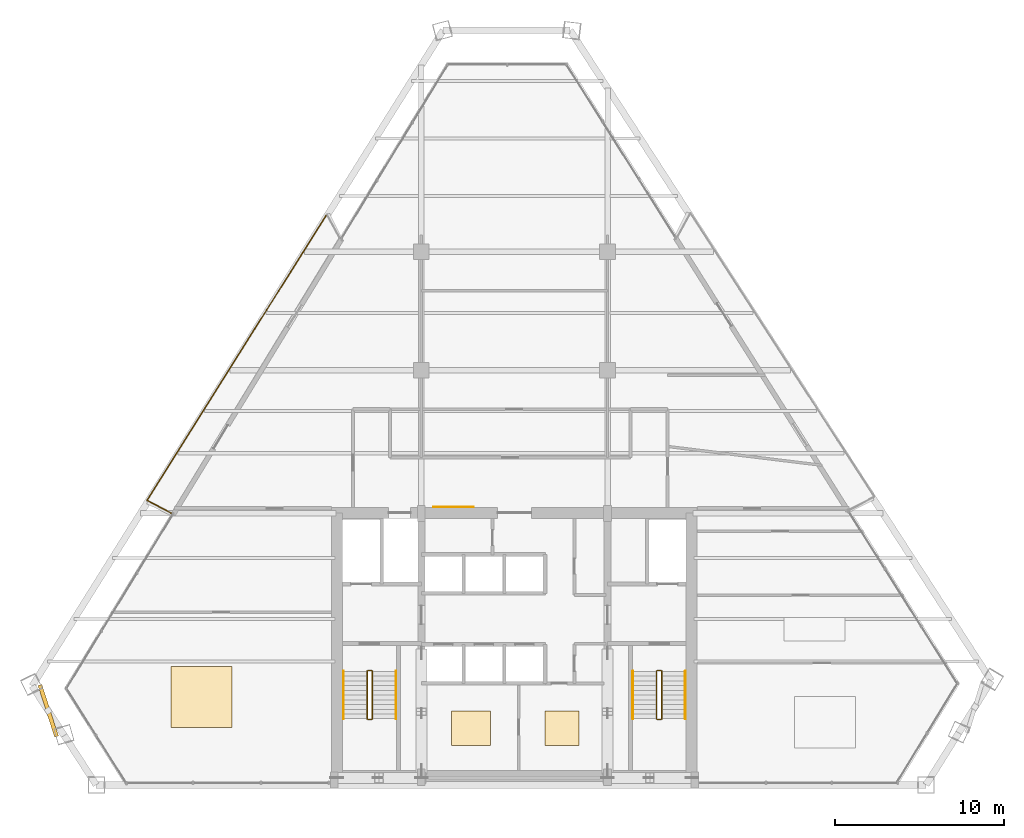
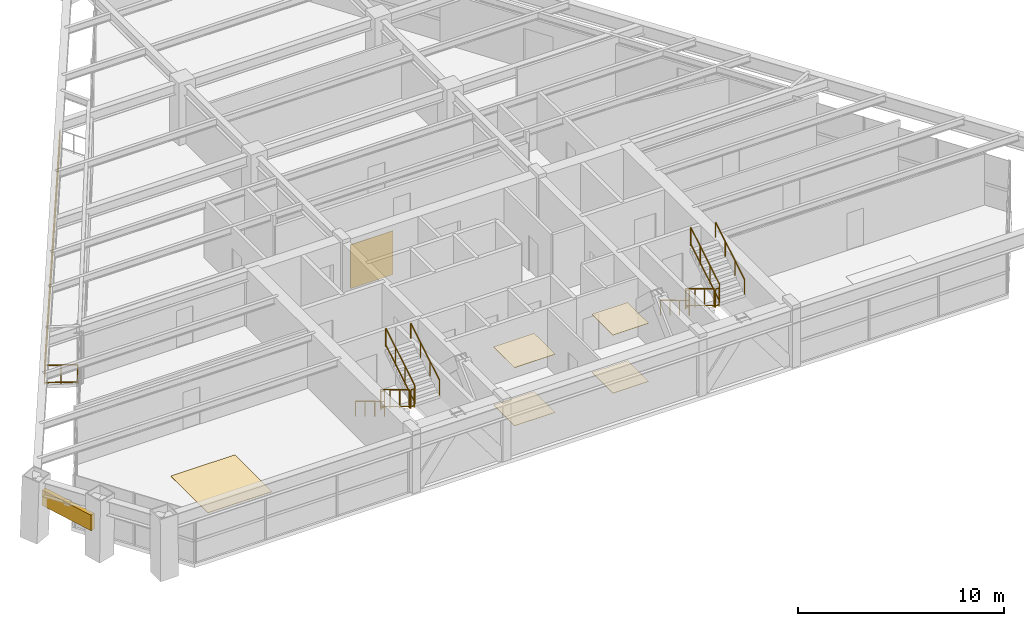
# One storey, part 12 of 13: 14 railings, 6 coverings, 1 shading device.
"""IFC4 building model written with IfcOpenShell, lengths in metres."""

import ifcopenshell
import ifcopenshell.guid

model = None  # the IFC model being written
_history = None  # IfcOwnerHistory: only IFC2X3 demands one
_inside = {}  # id of a spatial element -> (the spatial element, [elements in it])
_under = {}  # id of a project, library or spatial element -> (it, [spatial elements below it])
_declared = {}  # id of a project -> (the project, [libraries it declares])
_typed = {}  # id of a type object -> (the type object, [elements of that type])
_made_of = {}  # id of a material, layer set ... -> (it, [elements and type objects made of it])


def new_model(schema):
    """Start an empty IFC model of exactly this schema.

    Asked for "IFC4X3", IfcOpenShell would pick the latest addendum, in which some entities
    have other attributes; the version numbers below select the first issue.
    IFC2X3 requires an IfcOwnerHistory on every rooted entity: one is made here for all.
    """
    global model, _history
    if schema == "IFC4X3":
        model = ifcopenshell.file(schema_version=(4, 3, 0, 0))
    else:
        model = ifcopenshell.file(schema=schema)
    _inside.clear()
    _under.clear()
    _declared.clear()
    _typed.clear()
    _made_of.clear()
    _history = None
    if model.schema == "IFC2X3":
        org = make("IfcOrganization", Name="unknown")
        user = make(
            "IfcPersonAndOrganization",
            ThePerson=make("IfcPerson", FamilyName="unknown"),
            TheOrganization=org,
        )
        app = make(
            "IfcApplication",
            ApplicationDeveloper=org,
            Version="unknown",
            ApplicationFullName="unknown",
            ApplicationIdentifier="unknown",
        )
        _history = make(
            "IfcOwnerHistory",
            OwningUser=user,
            OwningApplication=app,
            ChangeAction="ADDED",
            CreationDate=0,
        )
    return model


def make(cls, **values):
    """One entity of the class cls with the attributes given. An attribute that is None is left unset."""
    return model.create_entity(
        cls, **{name: value for name, value in values.items() if value is not None}
    )


def rooted(cls, **values):
    """An entity with a GlobalId (a new one), such as an element, a storey or a relation."""
    return make(cls, GlobalId=ifcopenshell.guid.new(), OwnerHistory=_history, **values)


def si_unit(unit_type, name, prefix=None):
    """IfcSIUnit, for example si_unit("LENGTHUNIT", "METRE", prefix="MILLI")."""
    return make("IfcSIUnit", UnitType=unit_type, Prefix=prefix, Name=name)


def assignment(units):
    """IfcUnitAssignment: the units of a project."""
    return None if units is None else make("IfcUnitAssignment", Units=units)


def point(xyz):
    """IfcCartesianPoint."""
    return None if xyz is None else make("IfcCartesianPoint", Coordinates=xyz)


def direction(xyz):
    """IfcDirection."""
    return None if xyz is None else make("IfcDirection", DirectionRatios=xyz)


def frame(location, z_axis=None, x_axis=None):
    """IfcAxis2Placement3D, a coordinate frame: its origin and axes. An axis left out is left unset."""
    return make(
        "IfcAxis2Placement3D",
        Location=point(location),
        Axis=direction(z_axis),
        RefDirection=direction(x_axis),
    )


def frame_2d(location, x_axis=None):
    """IfcAxis2Placement2D, a coordinate frame in the plane: its origin and x axis."""
    return make(
        "IfcAxis2Placement2D", Location=point(location), RefDirection=direction(x_axis)
    )


def origin():
    """The frame at (0, 0, 0) with its axes left unset."""
    return frame((0.0, 0.0, 0.0))


def origin_2d():
    """The frame at (0, 0) in the plane with its x axis left unset."""
    return frame_2d((0.0, 0.0))


def place(relative_to, where):
    """IfcLocalPlacement: puts the frame where relative to a parent placement (None: the world)."""
    return make(
        "IfcLocalPlacement", PlacementRelTo=relative_to, RelativePlacement=where
    )


def context(
    kind, dimensions, precision=None, world=None, true_north=None, identifier=None
):
    """IfcGeometricRepresentationContext, for example the 3D "Model" context."""
    return make(
        "IfcGeometricRepresentationContext",
        ContextIdentifier=identifier,
        ContextType=kind,
        CoordinateSpaceDimension=dimensions,
        Precision=precision,
        WorldCoordinateSystem=world,
        TrueNorth=true_north,
    )


def subcontext(parent, identifier, kind, view, scale=None):
    """IfcGeometricRepresentationSubContext, for example "Body" below "Model"."""
    return make(
        "IfcGeometricRepresentationSubContext",
        ContextIdentifier=identifier,
        ContextType=kind,
        ParentContext=parent,
        TargetScale=scale,
        TargetView=view,
    )


def project(units=None, contexts=None):
    """IfcProject with its units and contexts."""
    return rooted(
        "IfcProject",
        Name="project",
        RepresentationContexts=contexts,
        UnitsInContext=assignment(units),
    )


def spatial(cls, under=None, at=None, **own):
    """A site, building, storey or space (cls), placed at a placement, below another one or the project."""
    s = rooted(cls, ObjectPlacement=at, **own)
    if under is not None:
        _under.setdefault(under.id(), (under, []))[1].append(s)
    return s


def profile(cls, at=None, kind="AREA", **sizes):
    """A parametric profile (cls). Its sizes go by their IFC names, for example OverallWidth=200.0."""
    return make(cls, ProfileType=kind, Position=at, **sizes)


def rectangle(**sizes):
    """IfcRectangleProfileDef."""
    return profile("IfcRectangleProfileDef", **sizes)


def extrude(swept, where, along, depth):
    """IfcExtrudedAreaSolid: the profile swept, set in the frame where, extruded along a direction by depth."""
    return make(
        "IfcExtrudedAreaSolid",
        SweptArea=swept,
        Position=where,
        ExtrudedDirection=direction(along),
        Depth=depth,
    )


def shape(context_of_items, identifier, shape_type, items):
    """IfcShapeRepresentation: the items that make up one representation, for example the "Body"."""
    return make(
        "IfcShapeRepresentation",
        ContextOfItems=context_of_items,
        RepresentationIdentifier=identifier,
        RepresentationType=shape_type,
        Items=items,
    )


def source(mapping_origin, context_of_items, identifier, shape_type, items):
    """IfcRepresentationMap: a shape defined once, which mapped items show again and again."""
    return make(
        "IfcRepresentationMap",
        MappingOrigin=mapping_origin,
        MappedRepresentation=shape(context_of_items, identifier, shape_type, items),
    )


def transform(
    local_origin,
    x_axis=None,
    y_axis=None,
    z_axis=None,
    scale=None,
    scale2=None,
    scale3=None,
    uniform=True,
):
    """IfcCartesianTransformationOperator3D, or its non-uniform kind. x_axis, y_axis, z_axis: its Axis1, 2, 3."""
    if uniform:
        return make(
            "IfcCartesianTransformationOperator3D",
            Axis1=direction(x_axis),
            Axis2=direction(y_axis),
            LocalOrigin=point(local_origin),
            Scale=scale,
            Axis3=direction(z_axis),
        )
    return make(
        "IfcCartesianTransformationOperator3DnonUniform",
        Axis1=direction(x_axis),
        Axis2=direction(y_axis),
        LocalOrigin=point(local_origin),
        Scale=scale,
        Axis3=direction(z_axis),
        Scale2=scale2,
        Scale3=scale3,
    )


def mapped(mapping_source, mapping_target):
    """IfcMappedItem: shows the shape of a source again, moved by a transform."""
    return make(
        "IfcMappedItem", MappingSource=mapping_source, MappingTarget=mapping_target
    )


def material(Name=None, Category=None):
    """IfcMaterial."""
    return make("IfcMaterial", Name=Name, Category=Category)


def layer(
    of_material, thickness, ventilated=None, Name=None, Category=None, Priority=None
):
    """IfcMaterialLayer: one layer of a wall or slab, of a material (None: an air gap)."""
    return make(
        "IfcMaterialLayer",
        Material=of_material,
        LayerThickness=thickness,
        IsVentilated=ventilated,
        Name=Name,
        Category=Category,
        Priority=Priority,
    )


def layer_set(layers, Name=None):
    """IfcMaterialLayerSet."""
    return make("IfcMaterialLayerSet", MaterialLayers=layers, LayerSetName=Name)


def made_of(thing, what):
    """Note that an element or type object is made of a material, layer set ...; save() writes the relation."""
    if what is not None:
        _made_of.setdefault(what.id(), (what, []))[1].append(thing)
    return thing


def type_object(cls, material=None, **own):
    """A type object (cls), such as IfcWallType, which elements share."""
    return made_of(rooted(cls, **own), material)


def type_shapes(of_type, sources):
    """Give a type object the sources (RepresentationMaps) that its elements show as mapped items."""
    of_type.RepresentationMaps = sources


def element(
    cls,
    number,
    at=None,
    inside=None,
    cuts=None,
    type_object=None,
    material=None,
    context=None,
    identifier="Body",
    shape_type=None,
    held_by="IfcProductDefinitionShape",
    body=None,
    shapes=None,
    **own,
):
    """One element of the class cls, such as IfcWall. Its Tag is "e" and its number.

    at: its placement. inside: the storey or other place that contains it. cuts: it is an
    opening in that element (IfcRelVoidsElement). A single representation is given by context,
    identifier, shape_type and body (its items); several are given by shapes. held_by: the class
    of the entity that holds the representations. save() writes the other relations.
    """
    e = rooted(cls, Tag="e%d" % number, ObjectPlacement=at, **own)
    if body is not None:
        shapes = [shape(context, identifier, shape_type, body)]
    if shapes is not None:
        e.Representation = make(held_by, Representations=shapes)
    if inside is not None:
        _inside.setdefault(inside.id(), (inside, []))[1].append(e)
    if cuts is not None:
        rooted(
            "IfcRelVoidsElement", RelatingBuildingElement=cuts, RelatedOpeningElement=e
        )
    if type_object is not None:
        _typed.setdefault(type_object.id(), (type_object, []))[1].append(e)
    return made_of(e, material)


def aggregate(whole, parts):
    """IfcRelAggregates: a whole, such as a stair, and the parts it consists of."""
    return rooted("IfcRelAggregates", RelatingObject=whole, RelatedObjects=parts)


def save(model, path):
    """Write the relations noted so far, then the file.

    IfcRelAggregates (storeys below a building ...), IfcRelContainedInSpatialStructure (elements
    in a storey), IfcRelDefinesByType, IfcRelAssociatesMaterial and IfcRelDeclares: one each for
    every whole, place, type object, material and project.
    """
    for whole, parts in _under.values():
        aggregate(whole, parts)
    for where, things in _inside.values():
        rooted(
            "IfcRelContainedInSpatialStructure",
            RelatedElements=things,
            RelatingStructure=where,
        )
    for kind, things in _typed.values():
        rooted("IfcRelDefinesByType", RelatedObjects=things, RelatingType=kind)
    for what, things in _made_of.values():
        rooted("IfcRelAssociatesMaterial", RelatedObjects=things, RelatingMaterial=what)
    for by, libraries in _declared.values():
        rooted("IfcRelDeclares", RelatingContext=by, RelatedDefinitions=libraries)
    model.write(path)


model = new_model("IFC4")

# Units and contexts
model_context = context("Model", 3, precision=1e-05, world=origin(), true_north=direction((0.0, 1.0)))
body_context = subcontext(model_context, "Body", "Model", "MODEL_VIEW")
ifc_project = project(units=[si_unit("LENGTHUNIT", "METRE"), si_unit("AREAUNIT", "SQUARE_METRE"), si_unit("VOLUMEUNIT", "CUBIC_METRE"), si_unit("PLANEANGLEUNIT", "RADIAN"), si_unit("MASSUNIT", "GRAM", prefix="KILO")], contexts=[model_context])

# Site, building, storey
site_placement = place(None, origin())
site = spatial("IfcSite", under=ifc_project, at=site_placement, CompositionType="ELEMENT")
building_placement = place(site_placement, origin())
building = spatial("IfcBuilding", under=site, at=building_placement, Name="Varnakhor Terracotta Tower", CompositionType="ELEMENT")
storey_placement = place(building_placement, frame((0.0, 0.0, 200.60009765625)))
storey = spatial("IfcBuildingStorey", under=building, at=storey_placement, Name="L51", CompositionType="ELEMENT", Elevation=200.60009765625)

# Railings
ifc_material_1 = material(Name="Stainless Steel & Laminated Glass Guardrail", Category="steel")
railing_type_1 = type_object("IfcRailingType", Name="RLG-LOGGIA-GUARD-1150", PredefinedType="GUARDRAIL", material=ifc_material_1)
railing_1_placement = place(storey_placement, frame((-20.281982421875, 16.05712890625, 0.0)))
element("IfcRailing", 1, at=railing_1_placement, inside=storey, type_object=railing_type_1, Name="L51 W Loggia Glass Guard 1", PredefinedType="GUARDRAIL", context=body_context, shape_type="SweptSolid", body=[
    extrude(rectangle(XDim=0.048095703125, YDim=0.048095703125, at=origin_2d()), frame((0.0, 0.0, 1.1259765625), z_axis=(-0.883469642591, 0.468488410336, 0.0), x_axis=(-0.468488410336, -0.883469642591, 0.0)), (0.0, 0.0, 1.0), 1.624267578125),
    extrude(rectangle(XDim=0.048095703125, YDim=0.048095703125, at=origin_2d()), frame((0.0, 0.0, 0.10009765625), z_axis=(-0.883469642591, 0.468488410336, 0.0), x_axis=(-0.468488410336, -0.883469642591, 0.0)), (0.0, 0.0, 1.0), 1.624267578125),
    extrude(rectangle(XDim=0.0419921875, YDim=0.0419921875, at=origin_2d()), origin(), (0.0, 0.0, 1.0), 1.101806640625),
    extrude(rectangle(XDim=0.0419921875, YDim=0.0419921875, at=origin_2d()), frame((-0.717529296875, 0.38037109375, 0.0)), (0.0, 0.0, 1.0), 1.101806640625),
    extrude(rectangle(XDim=0.0419921875, YDim=0.0419921875, at=origin_2d()), frame((-1.43505859375, 0.760986328125, 0.0)), (0.0, 0.0, 1.0), 1.101806640625),
])
railing_2_placement = place(storey_placement, frame((-21.717041015625, 16.818115234375, 0.0)))
element("IfcRailing", 2, at=railing_2_placement, inside=storey, type_object=railing_type_1, Name="L51 W Loggia Glass Guard 2", PredefinedType="GUARDRAIL", context=body_context, shape_type="SweptSolid", body=[
    extrude(rectangle(XDim=0.048095703125, YDim=0.048095703125, at=origin_2d()), frame((0.0, 0.0, 1.1259765625), z_axis=(0.532353424974, 0.846522197535, 0.0), x_axis=(-0.846522197535, 0.532353424974, 0.0)), (0.0, 0.0, 1.0), 19.956787109375),
    extrude(rectangle(XDim=0.048095703125, YDim=0.048095703125, at=origin_2d()), frame((0.0, 0.0, 0.10009765625), z_axis=(0.532353424974, 0.846522197535, 0.0), x_axis=(-0.846522197535, 0.532353424974, 0.0)), (0.0, 0.0, 1.0), 19.956787109375),
    extrude(rectangle(XDim=0.0419921875, YDim=0.0419921875, at=origin_2d()), origin(), (0.0, 0.0, 1.0), 1.101806640625),
    extrude(rectangle(XDim=0.0419921875, YDim=0.0419921875, at=origin_2d()), frame((0.708251953125, 1.126220703125, 0.0)), (0.0, 0.0, 1.0), 1.101806640625),
    extrude(rectangle(XDim=0.0419921875, YDim=0.0419921875, at=origin_2d()), frame((1.41650390625, 2.25244140625, 0.0)), (0.0, 0.0, 1.0), 1.101806640625),
    extrude(rectangle(XDim=0.0419921875, YDim=0.0419921875, at=origin_2d()), frame((2.124755859375, 3.378662109375, 0.0)), (0.0, 0.0, 1.0), 1.101806640625),
    extrude(rectangle(XDim=0.0419921875, YDim=0.0419921875, at=origin_2d()), frame((2.8330078125, 4.505126953125, 0.0)), (0.0, 0.0, 1.0), 1.101806640625),
    extrude(rectangle(XDim=0.0419921875, YDim=0.0419921875, at=origin_2d()), frame((3.541259765625, 5.63134765625, 0.0)), (0.0, 0.0, 1.0), 1.101806640625),
    extrude(rectangle(XDim=0.0419921875, YDim=0.0419921875, at=origin_2d()), frame((4.24951171875, 6.757568359375, 0.0)), (0.0, 0.0, 1.0), 1.101806640625),
    extrude(rectangle(XDim=0.0419921875, YDim=0.0419921875, at=origin_2d()), frame((4.957763671875, 7.8837890625, 0.0)), (0.0, 0.0, 1.0), 1.101806640625),
    extrude(rectangle(XDim=0.0419921875, YDim=0.0419921875, at=origin_2d()), frame((5.666259765625, 9.010009765625, 0.0)), (0.0, 0.0, 1.0), 1.101806640625),
    extrude(rectangle(XDim=0.0419921875, YDim=0.0419921875, at=origin_2d()), frame((6.37451171875, 10.13623046875, 0.0)), (0.0, 0.0, 1.0), 1.101806640625),
    extrude(rectangle(XDim=0.0419921875, YDim=0.0419921875, at=origin_2d()), frame((7.082763671875, 11.262451171875, 0.0)), (0.0, 0.0, 1.0), 1.101806640625),
    extrude(rectangle(XDim=0.0419921875, YDim=0.0419921875, at=origin_2d()), frame((7.791015625, 12.388671875, 0.0)), (0.0, 0.0, 1.0), 1.101806640625),
    extrude(rectangle(XDim=0.0419921875, YDim=0.0419921875, at=origin_2d()), frame((8.499267578125, 13.51513671875, 0.0)), (0.0, 0.0, 1.0), 1.101806640625),
    extrude(rectangle(XDim=0.0419921875, YDim=0.0419921875, at=origin_2d()), frame((9.20751953125, 14.641357421875, 0.0)), (0.0, 0.0, 1.0), 1.101806640625),
    extrude(rectangle(XDim=0.0419921875, YDim=0.0419921875, at=origin_2d()), frame((9.915771484375, 15.767578125, 0.0)), (0.0, 0.0, 1.0), 1.101806640625),
    extrude(rectangle(XDim=0.0419921875, YDim=0.0419921875, at=origin_2d()), frame((10.6240234375, 16.893798828125, 0.0)), (0.0, 0.0, 1.0), 1.101806640625),
])
ifc_material_2 = material(Name="Painted Steel Stairwell Guardrail", Category="steel")
railing_type_2 = type_object("IfcRailingType", Name="RLG-STAIR-GUARD-1120", PredefinedType="GUARDRAIL", material=ifc_material_2)
railing_3_placement = place(storey_placement, frame((-8.699951171875, 6.7099609375, 0.16796875)))
element("IfcRailing", 3, at=railing_3_placement, inside=storey, type_object=railing_type_2, Name="L51 ST-1 stair guard 1", PredefinedType="GUARDRAIL", context=body_context, shape_type="SweptSolid", body=[
    extrude(rectangle(XDim=0.048095703125, YDim=0.048095703125, at=origin_2d()), frame((0.0, 0.0, 1.09619140625), z_axis=(0.0, -0.857242210791, 0.514913383045), x_axis=(1.0, 0.0, 0.0)), (0.0, 0.0, 1.0), 3.266357421875),
    extrude(rectangle(XDim=0.048095703125, YDim=0.048095703125, at=origin_2d()), frame((0.0, 0.0, 0.10009765625), z_axis=(0.0, -0.857242210791, 0.514913383045), x_axis=(1.0, 0.0, 0.0)), (0.0, 0.0, 1.0), 3.266357421875),
    extrude(rectangle(XDim=0.0419921875, YDim=0.0419921875, at=origin_2d()), origin(), (0.0, 0.0, 1.0), 1.072021484375),
    extrude(rectangle(XDim=0.0419921875, YDim=0.0419921875, at=origin_2d()), frame((0.0, -0.933349609375, 0.560546875)), (0.0, 0.0, 1.0), 1.072021484375),
    extrude(rectangle(XDim=0.0419921875, YDim=0.0419921875, at=origin_2d()), frame((0.0, -1.86669921875, 1.121337890625)), (0.0, 0.0, 1.0), 1.072021484375),
    extrude(rectangle(XDim=0.0419921875, YDim=0.0419921875, at=origin_2d()), frame((0.0, -2.800048828125, 1.681884765625)), (0.0, 0.0, 1.0), 1.072021484375),
])
railing_4_placement = place(storey_placement, frame((-8.64990234375, 3.860107421875, 1.849853515625)))
element("IfcRailing", 4, at=railing_4_placement, inside=storey, type_object=railing_type_2, Name="L51 ST-1 stair guard 2", PredefinedType="GUARDRAIL", context=body_context, shape_type="SweptSolid", body=[
    extrude(rectangle(XDim=0.048095703125, YDim=0.048095703125, at=origin_2d()), frame((0.0, 0.0, 1.09619140625), z_axis=(1.0, 0.0, 0.0), x_axis=(0.0, 1.0, 0.0)), (0.0, 0.0, 1.0), 0.199951171875),
    extrude(rectangle(XDim=0.048095703125, YDim=0.048095703125, at=origin_2d()), frame((0.0, 0.0, 0.10009765625), z_axis=(1.0, 0.0, 0.0), x_axis=(0.0, 1.0, 0.0)), (0.0, 0.0, 1.0), 0.199951171875),
    extrude(rectangle(XDim=0.0419921875, YDim=0.0419921875, at=origin_2d()), origin(), (0.0, 0.0, 1.0), 1.072021484375),
    extrude(rectangle(XDim=0.0419921875, YDim=0.0419921875, at=origin_2d()), frame((0.199951171875, 0.0, 0.0)), (0.0, 0.0, 1.0), 1.072021484375),
])
railing_5_placement = place(storey_placement, frame((-8.39990234375, 3.909912109375, 2.01806640625)))
element("IfcRailing", 5, at=railing_5_placement, inside=storey, type_object=railing_type_2, Name="L51 ST-1 stair guard 3", PredefinedType="GUARDRAIL", context=body_context, shape_type="SweptSolid", body=[
    extrude(rectangle(XDim=0.048095703125, YDim=0.048095703125, at=origin_2d()), frame((0.0, 0.0, 1.09619140625), z_axis=(0.0, 0.857242210791, 0.514913383045), x_axis=(-1.0, 0.0, 0.0)), (0.0, 0.0, 1.0), 3.266357421875),
    extrude(rectangle(XDim=0.048095703125, YDim=0.048095703125, at=origin_2d()), frame((0.0, 0.0, 0.10009765625), z_axis=(0.0, 0.857242210791, 0.514913383045), x_axis=(-1.0, 0.0, 0.0)), (0.0, 0.0, 1.0), 3.266357421875),
    extrude(rectangle(XDim=0.0419921875, YDim=0.0419921875, at=origin_2d()), origin(), (0.0, 0.0, 1.0), 1.072021484375),
    extrude(rectangle(XDim=0.0419921875, YDim=0.0419921875, at=origin_2d()), frame((0.0, 0.933349609375, 0.560546875)), (0.0, 0.0, 1.0), 1.072021484375),
    extrude(rectangle(XDim=0.0419921875, YDim=0.0419921875, at=origin_2d()), frame((0.0, 1.86669921875, 1.121337890625)), (0.0, 0.0, 1.0), 1.072021484375),
    extrude(rectangle(XDim=0.0419921875, YDim=0.0419921875, at=origin_2d()), frame((0.0, 2.800048828125, 1.681884765625)), (0.0, 0.0, 1.0), 1.072021484375),
])
railing_6_placement = place(storey_placement, frame((-8.64990234375, 6.760009765625, 0.0)))
element("IfcRailing", 6, at=railing_6_placement, inside=storey, type_object=railing_type_2, Name="L51 ST-1 stair guard 4", PredefinedType="GUARDRAIL", context=body_context, shape_type="SweptSolid", body=[
    extrude(rectangle(XDim=0.048095703125, YDim=0.048095703125, at=origin_2d()), frame((0.0, 0.0, 1.09619140625), z_axis=(1.0, 0.0, 0.0), x_axis=(0.0, 1.0, 0.0)), (0.0, 0.0, 1.0), 0.199951171875),
    extrude(rectangle(XDim=0.048095703125, YDim=0.048095703125, at=origin_2d()), frame((0.0, 0.0, 0.10009765625), z_axis=(1.0, 0.0, 0.0), x_axis=(0.0, 1.0, 0.0)), (0.0, 0.0, 1.0), 0.199951171875),
    extrude(rectangle(XDim=0.0419921875, YDim=0.0419921875, at=origin_2d()), origin(), (0.0, 0.0, 1.0), 1.072021484375),
    extrude(rectangle(XDim=0.0419921875, YDim=0.0419921875, at=origin_2d()), frame((0.199951171875, 0.0, 0.0)), (0.0, 0.0, 1.0), 1.072021484375),
])
railing_7_placement = place(storey_placement, frame((8.39990234375, 6.7099609375, 0.16796875)))
element("IfcRailing", 7, at=railing_7_placement, inside=storey, type_object=railing_type_2, Name="L51 ST-2 stair guard 1", PredefinedType="GUARDRAIL", context=body_context, shape_type="SweptSolid", body=[
    extrude(rectangle(XDim=0.048095703125, YDim=0.048095703125, at=origin_2d()), frame((0.0, 0.0, 1.09619140625), z_axis=(0.0, -0.857242210791, 0.514913383045), x_axis=(1.0, 0.0, 0.0)), (0.0, 0.0, 1.0), 3.266357421875),
    extrude(rectangle(XDim=0.048095703125, YDim=0.048095703125, at=origin_2d()), frame((0.0, 0.0, 0.10009765625), z_axis=(0.0, -0.857242210791, 0.514913383045), x_axis=(1.0, 0.0, 0.0)), (0.0, 0.0, 1.0), 3.266357421875),
    extrude(rectangle(XDim=0.0419921875, YDim=0.0419921875, at=origin_2d()), origin(), (0.0, 0.0, 1.0), 1.072021484375),
    extrude(rectangle(XDim=0.0419921875, YDim=0.0419921875, at=origin_2d()), frame((0.0, -0.933349609375, 0.560546875)), (0.0, 0.0, 1.0), 1.072021484375),
    extrude(rectangle(XDim=0.0419921875, YDim=0.0419921875, at=origin_2d()), frame((0.0, -1.86669921875, 1.121337890625)), (0.0, 0.0, 1.0), 1.072021484375),
    extrude(rectangle(XDim=0.0419921875, YDim=0.0419921875, at=origin_2d()), frame((0.0, -2.800048828125, 1.681884765625)), (0.0, 0.0, 1.0), 1.072021484375),
])
railing_8_placement = place(storey_placement, frame((8.449951171875, 3.860107421875, 1.849853515625)))
element("IfcRailing", 8, at=railing_8_placement, inside=storey, type_object=railing_type_2, Name="L51 ST-2 stair guard 2", PredefinedType="GUARDRAIL", context=body_context, shape_type="SweptSolid", body=[
    extrude(rectangle(XDim=0.048095703125, YDim=0.048095703125, at=origin_2d()), frame((0.0, 0.0, 1.09619140625), z_axis=(1.0, 0.0, 0.0), x_axis=(0.0, 1.0, 0.0)), (0.0, 0.0, 1.0), 0.199951171875),
    extrude(rectangle(XDim=0.048095703125, YDim=0.048095703125, at=origin_2d()), frame((0.0, 0.0, 0.10009765625), z_axis=(1.0, 0.0, 0.0), x_axis=(0.0, 1.0, 0.0)), (0.0, 0.0, 1.0), 0.199951171875),
    extrude(rectangle(XDim=0.0419921875, YDim=0.0419921875, at=origin_2d()), origin(), (0.0, 0.0, 1.0), 1.072021484375),
    extrude(rectangle(XDim=0.0419921875, YDim=0.0419921875, at=origin_2d()), frame((0.199951171875, 0.0, 0.0)), (0.0, 0.0, 1.0), 1.072021484375),
])
railing_9_placement = place(storey_placement, frame((8.699951171875, 3.909912109375, 2.01806640625)))
element("IfcRailing", 9, at=railing_9_placement, inside=storey, type_object=railing_type_2, Name="L51 ST-2 stair guard 3", PredefinedType="GUARDRAIL", context=body_context, shape_type="SweptSolid", body=[
    extrude(rectangle(XDim=0.048095703125, YDim=0.048095703125, at=origin_2d()), frame((0.0, 0.0, 1.09619140625), z_axis=(0.0, 0.857242210791, 0.514913383045), x_axis=(-1.0, 0.0, 0.0)), (0.0, 0.0, 1.0), 3.266357421875),
    extrude(rectangle(XDim=0.048095703125, YDim=0.048095703125, at=origin_2d()), frame((0.0, 0.0, 0.10009765625), z_axis=(0.0, 0.857242210791, 0.514913383045), x_axis=(-1.0, 0.0, 0.0)), (0.0, 0.0, 1.0), 3.266357421875),
    extrude(rectangle(XDim=0.0419921875, YDim=0.0419921875, at=origin_2d()), origin(), (0.0, 0.0, 1.0), 1.072021484375),
    extrude(rectangle(XDim=0.0419921875, YDim=0.0419921875, at=origin_2d()), frame((0.0, 0.933349609375, 0.560546875)), (0.0, 0.0, 1.0), 1.072021484375),
    extrude(rectangle(XDim=0.0419921875, YDim=0.0419921875, at=origin_2d()), frame((0.0, 1.86669921875, 1.121337890625)), (0.0, 0.0, 1.0), 1.072021484375),
    extrude(rectangle(XDim=0.0419921875, YDim=0.0419921875, at=origin_2d()), frame((0.0, 2.800048828125, 1.681884765625)), (0.0, 0.0, 1.0), 1.072021484375),
])
railing_10_placement = place(storey_placement, frame((8.449951171875, 6.760009765625, 0.0)))
element("IfcRailing", 10, at=railing_10_placement, inside=storey, type_object=railing_type_2, Name="L51 ST-2 stair guard 4", PredefinedType="GUARDRAIL", context=body_context, shape_type="SweptSolid", body=[
    extrude(rectangle(XDim=0.048095703125, YDim=0.048095703125, at=origin_2d()), frame((0.0, 0.0, 1.09619140625), z_axis=(1.0, 0.0, 0.0), x_axis=(0.0, 1.0, 0.0)), (0.0, 0.0, 1.0), 0.199951171875),
    extrude(rectangle(XDim=0.048095703125, YDim=0.048095703125, at=origin_2d()), frame((0.0, 0.0, 0.10009765625), z_axis=(1.0, 0.0, 0.0), x_axis=(0.0, 1.0, 0.0)), (0.0, 0.0, 1.0), 0.199951171875),
    extrude(rectangle(XDim=0.0419921875, YDim=0.0419921875, at=origin_2d()), origin(), (0.0, 0.0, 1.0), 1.072021484375),
    extrude(rectangle(XDim=0.0419921875, YDim=0.0419921875, at=origin_2d()), frame((0.199951171875, 0.0, 0.0)), (0.0, 0.0, 1.0), 1.072021484375),
])
ifc_material_3 = material(Name="Brushed Stainless Steel Handrail", Category="steel")
railing_type_3 = type_object("IfcRailingType", Name="RLG-STAIR-HANDRAIL-920", PredefinedType="HANDRAIL", material=ifc_material_3)
railing_11_placement = place(storey_placement, frame((-10.10009765625, 6.7099609375, 0.16796875)))
element("IfcRailing", 11, at=railing_11_placement, inside=storey, type_object=railing_type_3, Name="L51 ST-1 stair handrail 1", PredefinedType="HANDRAIL", context=body_context, shape_type="SweptSolid", body=[
    extrude(rectangle(XDim=0.048095703125, YDim=0.048095703125, at=origin_2d()), frame((0.0, 0.0, 0.89599609375), z_axis=(0.0, -0.857242210791, 0.514913383045), x_axis=(1.0, 0.0, 0.0)), (0.0, 0.0, 1.0), 3.266357421875),
    extrude(rectangle(XDim=0.0419921875, YDim=0.0419921875, at=origin_2d()), origin(), (0.0, 0.0, 1.0), 0.871826171875),
    extrude(rectangle(XDim=0.0419921875, YDim=0.0419921875, at=origin_2d()), frame((0.0, -0.933349609375, 0.560546875)), (0.0, 0.0, 1.0), 0.871826171875),
    extrude(rectangle(XDim=0.0419921875, YDim=0.0419921875, at=origin_2d()), frame((0.0, -1.86669921875, 1.121337890625)), (0.0, 0.0, 1.0), 0.871826171875),
    extrude(rectangle(XDim=0.0419921875, YDim=0.0419921875, at=origin_2d()), frame((0.0, -2.800048828125, 1.681884765625)), (0.0, 0.0, 1.0), 0.871826171875),
])
railing_12_placement = place(storey_placement, frame((-7.0, 3.909912109375, 2.01806640625)))
element("IfcRailing", 12, at=railing_12_placement, inside=storey, type_object=railing_type_3, Name="L51 ST-1 stair handrail 2", PredefinedType="HANDRAIL", context=body_context, shape_type="SweptSolid", body=[
    extrude(rectangle(XDim=0.048095703125, YDim=0.048095703125, at=origin_2d()), frame((0.0, 0.0, 0.89599609375), z_axis=(0.0, 0.857242210791, 0.514913383045), x_axis=(-1.0, 0.0, 0.0)), (0.0, 0.0, 1.0), 3.266357421875),
    extrude(rectangle(XDim=0.0419921875, YDim=0.0419921875, at=origin_2d()), origin(), (0.0, 0.0, 1.0), 0.871826171875),
    extrude(rectangle(XDim=0.0419921875, YDim=0.0419921875, at=origin_2d()), frame((0.0, 0.933349609375, 0.560546875)), (0.0, 0.0, 1.0), 0.871826171875),
    extrude(rectangle(XDim=0.0419921875, YDim=0.0419921875, at=origin_2d()), frame((0.0, 1.86669921875, 1.121337890625)), (0.0, 0.0, 1.0), 0.871826171875),
    extrude(rectangle(XDim=0.0419921875, YDim=0.0419921875, at=origin_2d()), frame((0.0, 2.800048828125, 1.681884765625)), (0.0, 0.0, 1.0), 0.871826171875),
])
railing_13_placement = place(storey_placement, frame((7.0, 6.7099609375, 0.16796875)))
element("IfcRailing", 13, at=railing_13_placement, inside=storey, type_object=railing_type_3, Name="L51 ST-2 stair handrail 1", PredefinedType="HANDRAIL", context=body_context, shape_type="SweptSolid", body=[
    extrude(rectangle(XDim=0.048095703125, YDim=0.048095703125, at=origin_2d()), frame((0.0, 0.0, 0.89599609375), z_axis=(0.0, -0.857242210791, 0.514913383045), x_axis=(1.0, 0.0, 0.0)), (0.0, 0.0, 1.0), 3.266357421875),
    extrude(rectangle(XDim=0.0419921875, YDim=0.0419921875, at=origin_2d()), origin(), (0.0, 0.0, 1.0), 0.871826171875),
    extrude(rectangle(XDim=0.0419921875, YDim=0.0419921875, at=origin_2d()), frame((0.0, -0.933349609375, 0.560546875)), (0.0, 0.0, 1.0), 0.871826171875),
    extrude(rectangle(XDim=0.0419921875, YDim=0.0419921875, at=origin_2d()), frame((0.0, -1.86669921875, 1.121337890625)), (0.0, 0.0, 1.0), 0.871826171875),
    extrude(rectangle(XDim=0.0419921875, YDim=0.0419921875, at=origin_2d()), frame((0.0, -2.800048828125, 1.681884765625)), (0.0, 0.0, 1.0), 0.871826171875),
])
railing_14_placement = place(storey_placement, frame((10.10009765625, 3.909912109375, 2.01806640625)))
element("IfcRailing", 14, at=railing_14_placement, inside=storey, type_object=railing_type_3, Name="L51 ST-2 stair handrail 2", PredefinedType="HANDRAIL", context=body_context, shape_type="SweptSolid", body=[
    extrude(rectangle(XDim=0.048095703125, YDim=0.048095703125, at=origin_2d()), frame((0.0, 0.0, 0.89599609375), z_axis=(0.0, 0.857242210791, 0.514913383045), x_axis=(-1.0, 0.0, 0.0)), (0.0, 0.0, 1.0), 3.266357421875),
    extrude(rectangle(XDim=0.0419921875, YDim=0.0419921875, at=origin_2d()), origin(), (0.0, 0.0, 1.0), 0.871826171875),
    extrude(rectangle(XDim=0.0419921875, YDim=0.0419921875, at=origin_2d()), frame((0.0, 0.933349609375, 0.560546875)), (0.0, 0.0, 1.0), 0.871826171875),
    extrude(rectangle(XDim=0.0419921875, YDim=0.0419921875, at=origin_2d()), frame((0.0, 1.86669921875, 1.121337890625)), (0.0, 0.0, 1.0), 0.871826171875),
    extrude(rectangle(XDim=0.0419921875, YDim=0.0419921875, at=origin_2d()), frame((0.0, 2.800048828125, 1.681884765625)), (0.0, 0.0, 1.0), 0.871826171875),
])

# Shading device
ifc_material_4 = material(Name="Extruded Architectural Terracotta Screen", Category="masonry")
shading_device_type = type_object("IfcShadingDeviceType", Name="TERRACOTTA SOLAR SCREEN W", PredefinedType="USERDEFINED", material=ifc_material_4)
shared_shape_1 = source(origin(), body_context, "Body", "SweptSolid", [
    extrude(rectangle(XDim=3.199951171875, YDim=0.239990234375, at=origin_2d()), origin(), (0.0, 0.0, 1.0), 0.919921875),
])
type_shapes(shading_device_type, [shared_shape_1])
shading_device_placement = place(storey_placement, frame((-27.554443359375, 4.3818359375, 1.7099609375), z_axis=(0.0, 0.0, 1.0), x_axis=(0.307705374713, -0.951481687881, 0.0)))
element("IfcShadingDevice", 15, at=shading_device_placement, inside=storey, type_object=shading_device_type, Name="L51 W Terracotta Solar Screen", ObjectType="SCREEN", PredefinedType="USERDEFINED", context=body_context, shape_type="MappedRepresentation", body=[
    mapped(shared_shape_1, transform((0.0, 0.0, 0.0), scale=1.0)),
])

# Coverings
ifc_material_5 = material(Name="Extruded Architectural Terracotta Cladding", Category="masonry")
ifc_layer_1 = layer(ifc_material_5, 0.044921875, Name="Extruded Architectural Terracotta Cladding")
ifc_layer_set_1 = layer_set([ifc_layer_1], Name="Extruded Architectural Terracotta Cladding")
covering_type_1 = type_object("IfcCoveringType", Name="COV-CLAD-TERRACOTTA", PredefinedType="CLADDING", material=ifc_layer_set_1)
shared_shape_2 = source(origin(), body_context, "Body", "SweptSolid", [
    extrude(rectangle(XDim=2.39990234375, YDim=0.030029296875, at=origin_2d()), origin(), (0.0, 0.0, 1.0), 2.60009765625),
])
type_shapes(covering_type_1, [shared_shape_2])
covering_1_placement = place(storey_placement, frame((-3.60009765625, 16.412109375, -0.000244140625), z_axis=(0.0, 0.0, 1.0), x_axis=(1.0, 0.0, 0.0)))
element("IfcCovering", 16, at=covering_1_placement, inside=storey, type_object=covering_type_1, Name="L51 Core Lobby Limestone Cladding", PredefinedType="CLADDING", context=body_context, shape_type="MappedRepresentation", body=[
    mapped(shared_shape_2, transform((0.0, 0.0, 0.0), scale=1.0)),
])
ifc_material_6 = material(Name="Honed Riyadh Limestone Flooring", Category="masonry")
ifc_layer_2 = layer(ifc_material_6, 0.030029296875, Name="Honed Riyadh Limestone Flooring")
ifc_layer_set_2 = layer_set([ifc_layer_2], Name="Honed Riyadh Limestone Flooring")
covering_type_2 = type_object("IfcCoveringType", Name="COV-FLOOR-LIMESTONE", PredefinedType="FLOORING", material=ifc_layer_set_2)
shared_shape_3 = source(origin(), body_context, "Body", "SweptSolid", [
    extrude(rectangle(XDim=3.60009765625, YDim=3.60009765625, at=origin_2d()), origin(), (0.0, 0.0, 1.0), 0.02001953125),
])
covering_2_placement = place(storey_placement, frame((-18.493896484375, 5.201904296875, 0.0), z_axis=(0.0, 0.0, 1.0), x_axis=(1.0, 0.0, 0.0)))
element("IfcCovering", 17, at=covering_2_placement, inside=storey, type_object=covering_type_2, Name="L51 Honed Stone Flooring 4", PredefinedType="FLOORING", context=body_context, shape_type="MappedRepresentation", body=[
    mapped(shared_shape_3, transform((0.0, 0.0, 0.0), scale=1.0)),
])
shared_shape_4 = source(origin(), body_context, "Body", "SweptSolid", [
    extrude(rectangle(XDim=2.281982421875, YDim=2.041015625, at=origin_2d()), origin(), (0.0, 0.0, 1.0), 0.02001953125),
])
covering_3_placement = place(storey_placement, frame((-2.56494140625, 3.35498046875, 0.0), z_axis=(0.0, 0.0, 1.0), x_axis=(1.0, 0.0, 0.0)))
element("IfcCovering", 18, at=covering_3_placement, inside=storey, type_object=covering_type_2, Name="L51 Honed Stone Flooring 1", PredefinedType="FLOORING", context=body_context, shape_type="MappedRepresentation", body=[
    mapped(shared_shape_4, transform((0.0, 0.0, 0.0), scale=1.0)),
])
ifc_material_7 = material(Name="Perforated Acoustic Mineral-Fibre Ceiling", Category="gypsum")
ifc_layer_3 = layer(ifc_material_7, 0.02490234375, Name="Perforated Acoustic Mineral-Fibre Ceiling")
ifc_layer_set_3 = layer_set([ifc_layer_3], Name="Perforated Acoustic Mineral-Fibre Ceiling")
covering_type_3 = type_object("IfcCoveringType", Name="COV-CEILING-ACOUSTIC", PredefinedType="CEILING", material=ifc_layer_set_3)
shared_shape_5 = source(origin(), body_context, "Body", "SweptSolid", [
    extrude(rectangle(XDim=2.281982421875, YDim=2.041015625, at=origin_2d()), origin(), (0.0, 0.0, 1.0), 0.02392578125),
])
covering_4_placement = place(storey_placement, frame((-2.56494140625, 3.35498046875, 3.446044921875), z_axis=(0.0, 0.0, 1.0), x_axis=(1.0, 0.0, 0.0)))
element("IfcCovering", 19, at=covering_4_placement, inside=storey, type_object=covering_type_3, Name="L51 Acoustic Ceiling Panel 1", PredefinedType="CEILING", context=body_context, shape_type="MappedRepresentation", body=[
    mapped(shared_shape_5, transform((0.0, 0.0, 0.0), scale=1.0)),
])
shared_shape_6 = source(origin(), body_context, "Body", "SweptSolid", [
    extrude(rectangle(XDim=2.007080078125, YDim=2.041015625, at=origin_2d()), origin(), (0.0, 0.0, 1.0), 0.02001953125),
])
covering_5_placement = place(storey_placement, frame((2.81494140625, 3.35498046875, 0.0), z_axis=(0.0, 0.0, 1.0), x_axis=(1.0, 0.0, 0.0)))
element("IfcCovering", 20, at=covering_5_placement, inside=storey, type_object=covering_type_2, Name="L51 Honed Stone Flooring 2", PredefinedType="FLOORING", context=body_context, shape_type="MappedRepresentation", body=[
    mapped(shared_shape_6, transform((0.0, 0.0, 0.0), scale=1.0)),
])
shared_shape_7 = source(origin(), body_context, "Body", "SweptSolid", [
    extrude(rectangle(XDim=2.007080078125, YDim=2.041015625, at=origin_2d()), origin(), (0.0, 0.0, 1.0), 0.02392578125),
])
covering_6_placement = place(storey_placement, frame((2.81494140625, 3.35498046875, 3.446044921875), z_axis=(0.0, 0.0, 1.0), x_axis=(1.0, 0.0, 0.0)))
element("IfcCovering", 21, at=covering_6_placement, inside=storey, type_object=covering_type_3, Name="L51 Acoustic Ceiling Panel 2", PredefinedType="CEILING", context=body_context, shape_type="MappedRepresentation", body=[
    mapped(shared_shape_7, transform((0.0, 0.0, 0.0), scale=1.0)),
])

save(model, "model.ifc")
